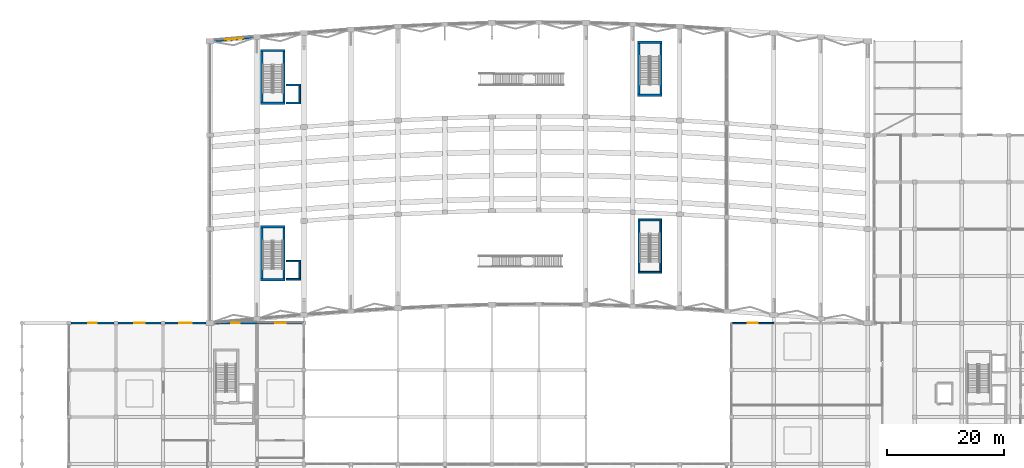
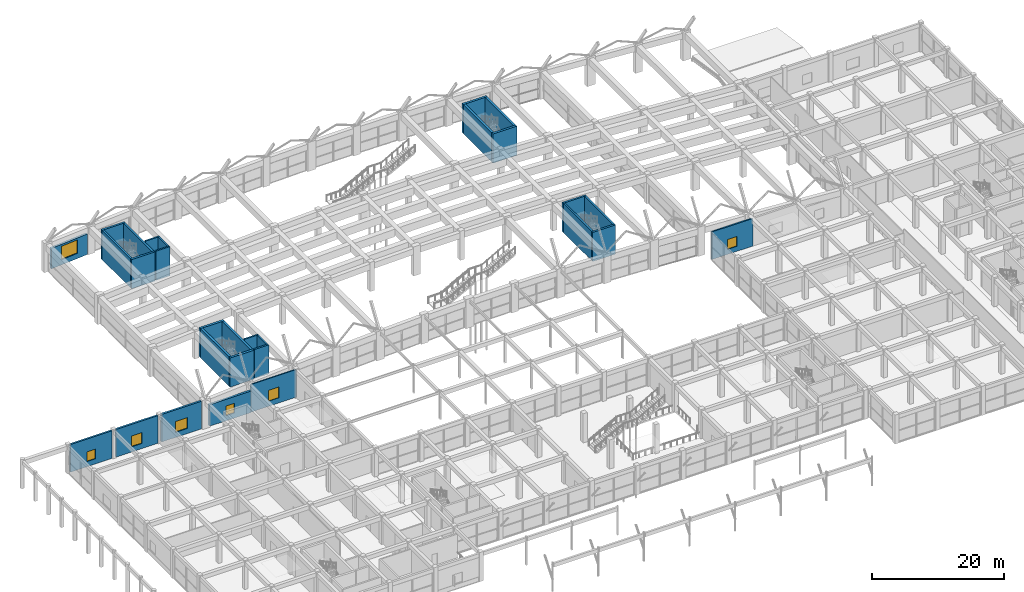
# One storey, part 50 of 69: 29 walls, 7 windows, 7 openings.
"""IFC4 building model written with IfcOpenShell, lengths in metres."""

from ifc_helpers import new_model, si_unit, direction, frame, frame_2d, origin, place, context, subcontext, project, spatial, rectangle, extrude, material, layer, layer_set, type_object, element, fill, save


model = new_model("IFC4")

# Units and contexts
model_context = context("Model", 3, precision=1e-05, world=origin(), true_north=direction((0.0, 1.0)))
body_context = subcontext(model_context, "Body", "Model", "MODEL_VIEW")
ifc_project = project(units=[si_unit("LENGTHUNIT", "METRE"), si_unit("AREAUNIT", "SQUARE_METRE"), si_unit("VOLUMEUNIT", "CUBIC_METRE"), si_unit("PLANEANGLEUNIT", "RADIAN"), si_unit("MASSUNIT", "GRAM", prefix="KILO")], contexts=[model_context])

# Site, building, storey
site_placement = place(None, origin())
site = spatial("IfcSite", under=ifc_project, at=site_placement, CompositionType="ELEMENT")
building_placement = place(site_placement, origin())
building = spatial("IfcBuilding", under=site, at=building_placement, Name="Kenh Van Central Station", CompositionType="ELEMENT")
storey_placement = place(building_placement, frame((0.0, 0.0, 5.39990234375)))
storey = spatial("IfcBuildingStorey", under=building, at=storey_placement, Name="L01", CompositionType="ELEMENT", Elevation=5.39990234375)

# Walls
ifc_material_1 = material(Name="Concrete C40/50", Category="concrete")
ifc_layer_1 = layer(ifc_material_1, 0.280029296875, Name="Concrete C40/50")
ifc_layer_set_1 = layer_set([ifc_layer_1], Name="Concrete C40/50")
wall_type_1 = type_object("IfcWallType", Name="WL-CORE-280", PredefinedType="SHEAR", material=ifc_layer_set_1)
for number, where, z_axis, x_axis, name in (
    (1, (44.949951171875, 71.4599609375, 0.0), (0.0, 0.0, 1.0), (1.0, 0.0, 0.0), "L01 LIFT-PL1 shaft wall S"),
    (2, (44.949951171875, 74.5400390625, 0.0), (0.0, 0.0, 1.0), (1.0, 0.0, 0.0), "L01 LIFT-PL1 shaft wall N"),
):
    element("IfcWall", number, at=place(storey_placement, frame(where, z_axis=z_axis, x_axis=x_axis)), inside=storey, type_object=wall_type_1, Name=name, PredefinedType="SHEAR", context=body_context, shape_type="SweptSolid", body=[
        extrude(rectangle(XDim=2.47998046875, YDim=0.280029296875, at=frame_2d((1.239990234375, 0.0))), origin(), (0.0, 0.0, 1.0), 5.400146484375),
    ])
wall_1_placement = place(storey_placement, frame((47.2900390625, 71.60009765625, 0.0), z_axis=(0.0, 0.0, 1.0), x_axis=(0.0, 1.0, 0.0)))
element("IfcWall", 3, at=wall_1_placement, inside=storey, type_object=wall_type_1, Name="L01 LIFT-PL1 shaft wall E", PredefinedType="SHEAR", context=body_context, shape_type="SweptSolid", body=[
    extrude(rectangle(XDim=2.7998046875, YDim=0.280029296875, at=frame_2d((1.39990234375, 0.0))), origin(), (0.0, 0.0, 1.0), 5.400146484375),
])
for number, where, z_axis, x_axis, name in (
    (4, (44.949951171875, 101.4599609375, 0.0), (0.0, 0.0, 1.0), (1.0, 0.0, 0.0), "L01 LIFT-PL2 shaft wall S"),
    (5, (44.949951171875, 104.5400390625, 0.0), (0.0, 0.0, 1.0), (1.0, 0.0, 0.0), "L01 LIFT-PL2 shaft wall N"),
):
    element("IfcWall", number, at=place(storey_placement, frame(where, z_axis=z_axis, x_axis=x_axis)), inside=storey, type_object=wall_type_1, Name=name, PredefinedType="SHEAR", context=body_context, shape_type="SweptSolid", body=[
        extrude(rectangle(XDim=2.47998046875, YDim=0.280029296875, at=frame_2d((1.239990234375, 0.0))), origin(), (0.0, 0.0, 1.0), 5.400146484375),
    ])
wall_2_placement = place(storey_placement, frame((47.2900390625, 101.60009765625, 0.0), z_axis=(0.0, 0.0, 1.0), x_axis=(0.0, 1.0, 0.0)))
element("IfcWall", 6, at=wall_2_placement, inside=storey, type_object=wall_type_1, Name="L01 LIFT-PL2 shaft wall E", PredefinedType="SHEAR", context=body_context, shape_type="SweptSolid", body=[
    extrude(rectangle(XDim=2.7998046875, YDim=0.280029296875, at=frame_2d((1.39990234375, 0.0))), origin(), (0.0, 0.0, 1.0), 5.400146484375),
])
ifc_layer_2 = layer(ifc_material_1, 0.320068359375, Name="Concrete C40/50")
ifc_layer_set_2 = layer_set([ifc_layer_2], Name="Concrete C40/50")
wall_type_2 = type_object("IfcWallType", Name="WL-CORE-320", PredefinedType="SHEAR", material=ifc_layer_set_2)
for number, where, z_axis, x_axis, name in (
    (7, (104.8798828125, 72.639892578125, 0.0), (0.0, 0.0, 1.0), (1.0, 0.0, 0.0), "L01 CORE-06 stair wall S"),
    (8, (104.8798828125, 81.56005859375, 0.0), (0.0, 0.0, 1.0), (1.0, 0.0, 0.0), "L01 CORE-06 stair wall N"),
):
    element("IfcWall", number, at=place(storey_placement, frame(where, z_axis=z_axis, x_axis=x_axis)), inside=storey, type_object=wall_type_2, Name=name, PredefinedType="SHEAR", context=body_context, shape_type="SweptSolid", body=[
        extrude(rectangle(XDim=4.0400390625, YDim=0.320068359375, at=frame_2d((2.02001953125, 0.0))), origin(), (0.0, 0.0, 1.0), 5.400146484375),
    ])
for number, where, z_axis, x_axis, name in (
    (9, (105.0400390625, 72.800048828125, 0.0), (0.0, 0.0, 1.0), (0.0, 1.0, 0.0), "L01 CORE-06 stair wall W"),
    (10, (108.760009765625, 72.800048828125, 0.0), (0.0, 0.0, 1.0), (0.0, 1.0, 0.0), "L01 CORE-06 stair wall E"),
):
    element("IfcWall", number, at=place(storey_placement, frame(where, z_axis=z_axis, x_axis=x_axis)), inside=storey, type_object=wall_type_2, Name=name, PredefinedType="SHEAR", context=body_context, shape_type="SweptSolid", body=[
        extrude(rectangle(XDim=8.599853515625, YDim=0.320068359375, at=frame_2d((4.2998046875, 0.0))), origin(), (0.0, 0.0, 1.0), 5.400146484375),
    ])
ifc_layer_3 = layer(ifc_material_1, 0.360107421875, Name="Concrete C40/50")
ifc_layer_set_3 = layer_set([ifc_layer_3], Name="Concrete C40/50")
wall_type_3 = type_object("IfcWallType", Name="WL-CORE-360", PredefinedType="SHEAR", material=ifc_layer_set_3)
for number, where, z_axis, x_axis, name in (
    (11, (40.639892578125, 101.419921875, 0.0), (0.0, 0.0, 1.0), (1.0, 0.0, 0.0), "L01 CORE-07 stair wall S"),
    (12, (40.639892578125, 110.3798828125, 0.0), (0.0, 0.0, 1.0), (1.0, 0.0, 0.0), "L01 CORE-07 stair wall N"),
):
    element("IfcWall", number, at=place(storey_placement, frame(where, z_axis=z_axis, x_axis=x_axis)), inside=storey, type_object=wall_type_3, Name=name, PredefinedType="SHEAR", context=body_context, shape_type="SweptSolid", body=[
        extrude(rectangle(XDim=4.1201171875, YDim=0.360107421875, at=frame_2d((2.06005859375, 0.0))), origin(), (0.0, 0.0, 1.0), 5.400146484375),
    ])
for number, where, z_axis, x_axis, name in (
    (13, (40.820068359375, 101.60009765625, 0.0), (0.0, 0.0, 1.0), (0.0, 1.0, 0.0), "L01 CORE-07 stair wall W"),
    (14, (44.580078125, 101.60009765625, 0.0), (0.0, 0.0, 1.0), (0.0, 1.0, 0.0), "L01 CORE-07 stair wall E"),
):
    element("IfcWall", number, at=place(storey_placement, frame(where, z_axis=z_axis, x_axis=x_axis)), inside=storey, type_object=wall_type_3, Name=name, PredefinedType="SHEAR", context=body_context, shape_type="SweptSolid", body=[
        extrude(rectangle(XDim=8.599853515625, YDim=0.360107421875, at=frame_2d((4.2998046875, 0.0))), origin(), (0.0, 0.0, 1.0), 5.400146484375),
    ])
ifc_layer_4 = layer(ifc_material_1, 0.39990234375, Name="Concrete C40/50")
ifc_layer_set_4 = layer_set([ifc_layer_4], Name="Concrete C40/50")
wall_type_4 = type_object("IfcWallType", Name="WL-CORE-400", PredefinedType="SHEAR", material=ifc_layer_set_4)
for number, where, z_axis, x_axis, name in (
    (15, (40.60009765625, 71.39990234375, 0.0), (0.0, 0.0, 1.0), (1.0, 0.0, 0.0), "L01 CORE-05 stair wall S"),
    (16, (40.60009765625, 80.39990234375, 0.0), (0.0, 0.0, 1.0), (1.0, 0.0, 0.0), "L01 CORE-05 stair wall N"),
):
    element("IfcWall", number, at=place(storey_placement, frame(where, z_axis=z_axis, x_axis=x_axis)), inside=storey, type_object=wall_type_4, Name=name, PredefinedType="SHEAR", context=body_context, shape_type="SweptSolid", body=[
        extrude(rectangle(XDim=4.199951171875, YDim=0.39990234375, at=frame_2d((2.10009765625, 0.0))), origin(), (0.0, 0.0, 1.0), 5.400146484375),
    ])
for number, where, z_axis, x_axis, name in (
    (17, (40.800048828125, 71.60009765625, 0.0), (0.0, 0.0, 1.0), (0.0, 1.0, 0.0), "L01 CORE-05 stair wall W"),
    (18, (44.60009765625, 71.60009765625, 0.0), (0.0, 0.0, 1.0), (0.0, 1.0, 0.0), "L01 CORE-05 stair wall E"),
):
    element("IfcWall", number, at=place(storey_placement, frame(where, z_axis=z_axis, x_axis=x_axis)), inside=storey, type_object=wall_type_4, Name=name, PredefinedType="SHEAR", context=body_context, shape_type="SweptSolid", body=[
        extrude(rectangle(XDim=8.599853515625, YDim=0.39990234375, at=frame_2d((4.2998046875, 0.0))), origin(), (0.0, 0.0, 1.0), 5.400146484375),
    ])
for number, where, z_axis, x_axis, name in (
    (19, (104.800048828125, 102.800048828125, 0.0), (0.0, 0.0, 1.0), (1.0, 0.0, 0.0), "L01 CORE-08 stair wall S"),
    (20, (104.800048828125, 111.800048828125, 0.0), (0.0, 0.0, 1.0), (1.0, 0.0, 0.0), "L01 CORE-08 stair wall N"),
):
    element("IfcWall", number, at=place(storey_placement, frame(where, z_axis=z_axis, x_axis=x_axis)), inside=storey, type_object=wall_type_4, Name=name, PredefinedType="SHEAR", context=body_context, shape_type="SweptSolid", body=[
        extrude(rectangle(XDim=4.199951171875, YDim=0.39990234375, at=frame_2d((2.10009765625, 0.0))), origin(), (0.0, 0.0, 1.0), 5.400146484375),
    ])
for number, where, z_axis, x_axis, name in (
    (21, (105.0, 103.0, 0.0), (0.0, 0.0, 1.0), (0.0, 1.0, 0.0), "L01 CORE-08 stair wall W"),
    (22, (108.800048828125, 103.0, 0.0), (0.0, 0.0, 1.0), (0.0, 1.0, 0.0), "L01 CORE-08 stair wall E"),
):
    element("IfcWall", number, at=place(storey_placement, frame(where, z_axis=z_axis, x_axis=x_axis)), inside=storey, type_object=wall_type_4, Name=name, PredefinedType="SHEAR", context=body_context, shape_type="SweptSolid", body=[
        extrude(rectangle(XDim=8.60009765625, YDim=0.39990234375, at=frame_2d((4.300048828125, 0.0))), origin(), (0.0, 0.0, 1.0), 5.400146484375),
    ])

# Wall, opening, window
ifc_material_2 = material(Name="Saigon buff sandstone and terracotta masonry", Category="masonry")
ifc_layer_5 = layer(ifc_material_2, 0.31005859375, Name="Saigon buff sandstone and terracotta masonry")
ifc_layer_set_5 = layer_set([ifc_layer_5], Name="Saigon buff sandstone and terracotta masonry")
wall_type_5 = type_object("IfcWallType", Name="WL-EXT-310", PredefinedType="STANDARD", material=ifc_layer_set_5)
wall_3_placement = place(storey_placement, frame((15.675048828125, 64.0, 0.0), z_axis=(0.0, 0.0, 1.0), x_axis=(-1.0, 0.0, 0.0)))
wall_3 = element("IfcWall", 23, at=wall_3_placement, inside=storey, type_object=wall_type_5, Name="L01 exterior wall 059", PredefinedType="STANDARD", context=body_context, shape_type="SweptSolid", body=[
    extrude(rectangle(XDim=7.35009765625, YDim=0.31005859375, at=frame_2d((3.675048828125, 0.0))), origin(), (0.0, 0.0, 1.0), 5.1201171875),
])
opening_1_placement = place(wall_3_placement, frame((2.925048828125, 0.0, 0.949951171875)))
opening_1 = element("IfcOpeningElement", 24, at=opening_1_placement, cuts=wall_3, Name="Opening WN-11", PredefinedType="OPENING", context=body_context, shape_type="SweptSolid", body=[
    extrude(rectangle(XDim=1.5, YDim=1.800048828125, at=frame_2d((0.75, 0.89990234375))), frame((0.0, 0.1650390625, 0.0), z_axis=(0.0, -1.0, 0.0), x_axis=(1.0, 0.0, 0.0)), (0.0, 0.0, 1.0), 0.330078125),
])
ifc_material_3 = material(Name="Double-glazed low-E laminated solar glass", Category="glass")
window_type_1 = type_object("IfcWindowType", Name="WN-RETL-1500x1800", PartitioningType="SINGLE_PANEL", PredefinedType="WINDOW", material=ifc_material_3)
window_1_placement = place(opening_1_placement, origin())
window_1 = element("IfcWindow", 25, at=window_1_placement, inside=storey, type_object=window_type_1, Name="L01 window 031", OverallHeight=1.800048828125, OverallWidth=1.5, PartitioningType="SINGLE_PANEL", PredefinedType="WINDOW", context=body_context, shape_type="SweptSolid", body=[
    extrude(rectangle(XDim=1.5, YDim=1.800048828125, at=frame_2d((0.75, 0.89990234375))), frame((0.0, 0.030029296875, 0.0), z_axis=(0.0, -1.0, 0.0), x_axis=(1.0, 0.0, 0.0)), (0.0, 0.0, 1.0), 0.06005859375),
])
fill(opening_1, window_1)

ifc_layer_6 = layer(ifc_material_2, 0.330078125, Name="Saigon buff sandstone and terracotta masonry")
ifc_layer_set_6 = layer_set([ifc_layer_6], Name="Saigon buff sandstone and terracotta masonry")
wall_type_6 = type_object("IfcWallType", Name="WL-EXT-330", PredefinedType="STANDARD", material=ifc_layer_set_6)
wall_4_placement = place(storey_placement, frame((23.64990234375, 64.0, 0.0), z_axis=(0.0, 0.0, 1.0), x_axis=(-1.0, 0.0, 0.0)))
wall_4 = element("IfcWall", 26, at=wall_4_placement, inside=storey, type_object=wall_type_6, Name="L01 exterior wall 058", PredefinedType="STANDARD", context=body_context, shape_type="SweptSolid", body=[
    extrude(rectangle(XDim=7.324951171875, YDim=0.330078125, at=frame_2d((3.66259765625, 0.0))), origin(), (0.0, 0.0, 1.0), 5.1201171875),
])
opening_2_placement = place(wall_4_placement, frame((2.762451171875, 0.0, 0.949951171875)))
opening_2 = element("IfcOpeningElement", 27, at=opening_2_placement, cuts=wall_4, Name="Opening WN-10", PredefinedType="OPENING", context=body_context, shape_type="SweptSolid", body=[
    extrude(rectangle(XDim=1.800048828125, YDim=2.0, at=frame_2d((0.89990234375, 1.0))), frame((0.0, 0.175048828125, 0.0), z_axis=(0.0, -1.0, 0.0), x_axis=(1.0, 0.0, 0.0)), (0.0, 0.0, 1.0), 0.35009765625),
])
window_type_2 = type_object("IfcWindowType", Name="WN-RETL-1800x2000", PartitioningType="DOUBLE_PANEL_VERTICAL", PredefinedType="WINDOW", material=ifc_material_3)
window_2_placement = place(opening_2_placement, origin())
window_2 = element("IfcWindow", 28, at=window_2_placement, inside=storey, type_object=window_type_2, Name="L01 window 030", OverallHeight=2.0, OverallWidth=1.800048828125, PartitioningType="SINGLE_PANEL", PredefinedType="WINDOW", context=body_context, shape_type="SweptSolid", body=[
    extrude(rectangle(XDim=1.800048828125, YDim=2.0, at=frame_2d((0.89990234375, 1.0))), frame((0.0, 0.030029296875, 0.0), z_axis=(0.0, -1.0, 0.0), x_axis=(1.0, 0.0, 0.0)), (0.0, 0.0, 1.0), 0.06005859375),
])
fill(opening_2, window_2)

ifc_layer_7 = layer(ifc_material_2, 0.35009765625, Name="Saigon buff sandstone and terracotta masonry")
ifc_layer_set_7 = layer_set([ifc_layer_7], Name="Saigon buff sandstone and terracotta masonry")
wall_type_7 = type_object("IfcWallType", Name="WL-EXT-350", PredefinedType="STANDARD", material=ifc_layer_set_7)
wall_5_placement = place(storey_placement, frame((31.300048828125, 64.0, 0.0), z_axis=(0.0, 0.0, 1.0), x_axis=(-1.0, 0.0, 0.0)))
wall_5 = element("IfcWall", 29, at=wall_5_placement, inside=storey, type_object=wall_type_7, Name="L01 exterior wall 057", PredefinedType="STANDARD", context=body_context, shape_type="SweptSolid", body=[
    extrude(rectangle(XDim=6.949951171875, YDim=0.35009765625, at=frame_2d((3.47509765625, 0.0))), origin(), (0.0, 0.0, 1.0), 5.1201171875),
])
opening_3_placement = place(wall_5_placement, frame((2.425048828125, 0.0, 0.949951171875)))
opening_3 = element("IfcOpeningElement", 30, at=opening_3_placement, cuts=wall_5, Name="Opening WN-09", PredefinedType="OPENING", context=body_context, shape_type="SweptSolid", body=[
    extrude(rectangle(XDim=2.10009765625, YDim=2.0, at=frame_2d((1.050048828125, 1.0))), frame((0.0, 0.18505859375, 0.0), z_axis=(0.0, -1.0, 0.0), x_axis=(1.0, 0.0, 0.0)), (0.0, 0.0, 1.0), 0.3701171875),
])
window_type_3 = type_object("IfcWindowType", Name="WN-RETL-2100x2000", PartitioningType="DOUBLE_PANEL_VERTICAL", PredefinedType="WINDOW", material=ifc_material_3)
window_3_placement = place(opening_3_placement, origin())
window_3 = element("IfcWindow", 31, at=window_3_placement, inside=storey, type_object=window_type_3, Name="L01 window 029", OverallHeight=2.0, OverallWidth=2.10009765625, PartitioningType="SINGLE_PANEL", PredefinedType="WINDOW", context=body_context, shape_type="SweptSolid", body=[
    extrude(rectangle(XDim=2.10009765625, YDim=2.0, at=frame_2d((1.050048828125, 1.0))), frame((0.0, 0.030029296875, 0.0), z_axis=(0.0, -1.0, 0.0), x_axis=(1.0, 0.0, 0.0)), (0.0, 0.0, 1.0), 0.06005859375),
])
fill(opening_3, window_3)

ifc_layer_8 = layer(ifc_material_2, 0.3798828125, Name="Saigon buff sandstone and terracotta masonry")
ifc_layer_set_8 = layer_set([ifc_layer_8], Name="Saigon buff sandstone and terracotta masonry")
wall_type_8 = type_object("IfcWallType", Name="WL-EXT-380", PredefinedType="STANDARD", material=ifc_layer_set_8)
wall_6_placement = place(storey_placement, frame((39.369384765625, 112.656005859375, 0.0), z_axis=(0.0, 0.0, 1.0), x_axis=(-0.99606236277, -0.088655340921, 0.0)))
wall_6 = element("IfcWall", 32, at=wall_6_placement, inside=storey, type_object=wall_type_8, Name="L01 exterior wall 048", PredefinedType="STANDARD", context=body_context, shape_type="SweptSolid", body=[
    extrude(rectangle(XDim=6.661376953125, YDim=0.3798828125, at=frame_2d((3.33056640625, 0.0))), origin(), (0.0, 0.0, 1.0), 3.800048828125),
])
opening_4_placement = place(wall_6_placement, frame((1.830810546875, 0.0, 0.949951171875)))
opening_4 = element("IfcOpeningElement", 33, at=opening_4_placement, cuts=wall_6, Name="Opening WN-05", PredefinedType="OPENING", context=body_context, shape_type="SweptSolid", body=[
    extrude(rectangle(XDim=3.0, YDim=2.5, at=frame_2d((1.5, 1.25))), frame((0.0, 0.199951171875, 0.0), z_axis=(0.0, -1.0, 0.0), x_axis=(1.0, 0.0, 0.0)), (0.0, 0.0, 1.0), 0.39990234375),
])
window_type_4 = type_object("IfcWindowType", Name="WN-VIAD-3000x2500", PartitioningType="DOUBLE_PANEL_VERTICAL", PredefinedType="WINDOW", material=ifc_material_3)
window_4_placement = place(opening_4_placement, origin())
window_4 = element("IfcWindow", 34, at=window_4_placement, inside=storey, type_object=window_type_4, Name="L01 window 020", OverallHeight=2.5, OverallWidth=3.0, PartitioningType="SINGLE_PANEL", PredefinedType="WINDOW", context=body_context, shape_type="SweptSolid", body=[
    extrude(rectangle(XDim=3.0, YDim=2.5, at=frame_2d((1.5, 1.25))), frame((0.0, 0.030029296875, 0.0), z_axis=(0.0, -1.0, 0.0), x_axis=(1.0, 0.0, 0.0)), (0.0, 0.0, 1.0), 0.06005859375),
])
fill(opening_4, window_4)

wall_7_placement = place(storey_placement, frame((40.0, 64.0, 0.0), z_axis=(0.0, 0.0, 1.0), x_axis=(-1.0, 0.0, 0.0)))
wall_7 = element("IfcWall", 35, at=wall_7_placement, inside=storey, type_object=wall_type_8, Name="L01 exterior wall 056", PredefinedType="STANDARD", context=body_context, shape_type="SweptSolid", body=[
    extrude(rectangle(XDim=7.300048828125, YDim=0.3798828125, at=frame_2d((3.64990234375, 0.0))), origin(), (0.0, 0.0, 1.0), 3.97998046875),
])
opening_5_placement = place(wall_7_placement, frame((2.89990234375, 0.0, 0.949951171875)))
opening_5 = element("IfcOpeningElement", 36, at=opening_5_placement, cuts=wall_7, Name="Opening WN-11", PredefinedType="OPENING", context=body_context, shape_type="SweptSolid", body=[
    extrude(rectangle(XDim=1.5, YDim=1.800048828125, at=frame_2d((0.75, 0.89990234375))), frame((0.0, 0.199951171875, 0.0), z_axis=(0.0, -1.0, 0.0), x_axis=(1.0, 0.0, 0.0)), (0.0, 0.0, 1.0), 0.39990234375),
])
window_5_placement = place(opening_5_placement, origin())
window_5 = element("IfcWindow", 37, at=window_5_placement, inside=storey, type_object=window_type_1, Name="L01 window 028", OverallHeight=1.800048828125, OverallWidth=1.5, PartitioningType="SINGLE_PANEL", PredefinedType="WINDOW", context=body_context, shape_type="SweptSolid", body=[
    extrude(rectangle(XDim=1.5, YDim=1.800048828125, at=frame_2d((0.75, 0.89990234375))), frame((0.0, 0.030029296875, 0.0), z_axis=(0.0, -1.0, 0.0), x_axis=(1.0, 0.0, 0.0)), (0.0, 0.0, 1.0), 0.06005859375),
])
fill(opening_5, window_5)

ifc_material_4 = material(Name="Glazed terracotta architectural masonry", Category="masonry")
ifc_layer_9 = layer(ifc_material_4, 0.195068359375, Name="Glazed terracotta architectural masonry")
ifc_layer_set_9 = layer_set([ifc_layer_9], Name="Glazed terracotta architectural masonry")
wall_type_9 = type_object("IfcWallType", Name="WL-SLD-195", PredefinedType="SOLIDWALL", material=ifc_layer_set_9)
wall_8_placement = place(storey_placement, frame((48.0, 64.0, 0.0), z_axis=(0.0, 0.0, 1.0), x_axis=(-1.0, 0.0, 0.0)))
wall_8 = element("IfcWall", 38, at=wall_8_placement, inside=storey, type_object=wall_type_9, Name="L01 exterior wall 055", PredefinedType="SOLIDWALL", context=body_context, shape_type="SweptSolid", body=[
    extrude(rectangle(XDim=8.0, YDim=0.195068359375, at=frame_2d((4.0, 0.0))), origin(), (0.0, 0.0, 1.0), 5.1201171875),
])
opening_6_placement = place(wall_8_placement, frame((3.10009765625, 0.0, 0.949951171875)))
opening_6 = element("IfcOpeningElement", 39, at=opening_6_placement, cuts=wall_8, Name="Opening WN-10", PredefinedType="OPENING", context=body_context, shape_type="SweptSolid", body=[
    extrude(rectangle(XDim=1.800048828125, YDim=2.0, at=frame_2d((0.89990234375, 1.0))), frame((0.0, 0.107421875, 0.0), z_axis=(0.0, -1.0, 0.0), x_axis=(1.0, 0.0, 0.0)), (0.0, 0.0, 1.0), 0.215087890625),
])
window_6_placement = place(opening_6_placement, origin())
window_6 = element("IfcWindow", 40, at=window_6_placement, inside=storey, type_object=window_type_2, Name="L01 window 027", OverallHeight=2.0, OverallWidth=1.800048828125, PartitioningType="SINGLE_PANEL", PredefinedType="WINDOW", context=body_context, shape_type="SweptSolid", body=[
    extrude(rectangle(XDim=1.800048828125, YDim=2.0, at=frame_2d((0.89990234375, 1.0))), frame((0.0, 0.030029296875, 0.0), z_axis=(0.0, -1.0, 0.0), x_axis=(1.0, 0.0, 0.0)), (0.0, 0.0, 1.0), 0.06005859375),
])
fill(opening_6, window_6)

ifc_layer_10 = layer(ifc_material_4, 0.239990234375, Name="Glazed terracotta architectural masonry")
ifc_layer_set_10 = layer_set([ifc_layer_10], Name="Glazed terracotta architectural masonry")
wall_type_10 = type_object("IfcWallType", Name="WL-SLD-240", PredefinedType="SOLIDWALL", material=ifc_layer_set_10)
wall_9_placement = place(storey_placement, frame((128.0, 64.0, 0.0), z_axis=(0.0, 0.0, 1.0), x_axis=(-1.0, 0.0, 0.0)))
wall_9 = element("IfcWall", 41, at=wall_9_placement, inside=storey, type_object=wall_type_10, Name="L01 exterior wall 069", PredefinedType="SOLIDWALL", context=body_context, shape_type="SweptSolid", body=[
    extrude(rectangle(XDim=7.199951171875, YDim=0.239990234375, at=frame_2d((3.60009765625, 0.0))), origin(), (0.0, 0.0, 1.0), 5.1201171875),
])
opening_7_placement = place(wall_9_placement, frame((2.77490234375, 0.0, 0.949951171875)))
opening_7 = element("IfcOpeningElement", 42, at=opening_7_placement, cuts=wall_9, Name="Opening WN-15", PredefinedType="OPENING", context=body_context, shape_type="SweptSolid", body=[
    extrude(rectangle(XDim=1.64990234375, YDim=1.800048828125, at=frame_2d((0.824951171875, 0.89990234375))), frame((0.0, 0.1298828125, 0.0), z_axis=(0.0, -1.0, 0.0), x_axis=(1.0, 0.0, 0.0)), (0.0, 0.0, 1.0), 0.260009765625),
])
window_type_5 = type_object("IfcWindowType", Name="WN-OP01-1650x1800", PartitioningType="SINGLE_PANEL", PredefinedType="WINDOW", material=ifc_material_3)
window_7_placement = place(opening_7_placement, origin())
window_7 = element("IfcWindow", 43, at=window_7_placement, inside=storey, type_object=window_type_5, Name="L01 window 041", OverallHeight=1.800048828125, OverallWidth=1.64990234375, PartitioningType="SINGLE_PANEL", PredefinedType="WINDOW", context=body_context, shape_type="SweptSolid", body=[
    extrude(rectangle(XDim=1.64990234375, YDim=1.800048828125, at=frame_2d((0.824951171875, 0.89990234375))), frame((0.0, 0.030029296875, 0.0), z_axis=(0.0, -1.0, 0.0), x_axis=(1.0, 0.0, 0.0)), (0.0, 0.0, 1.0), 0.06005859375),
])
fill(opening_7, window_7)

save(model, "model.ifc")
